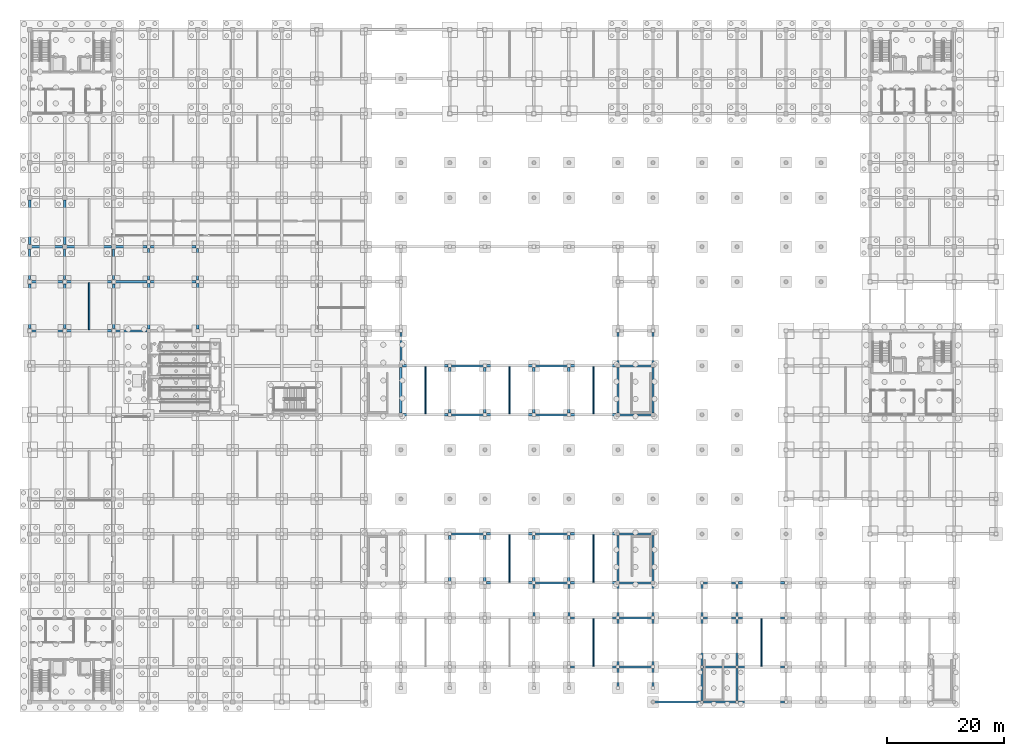
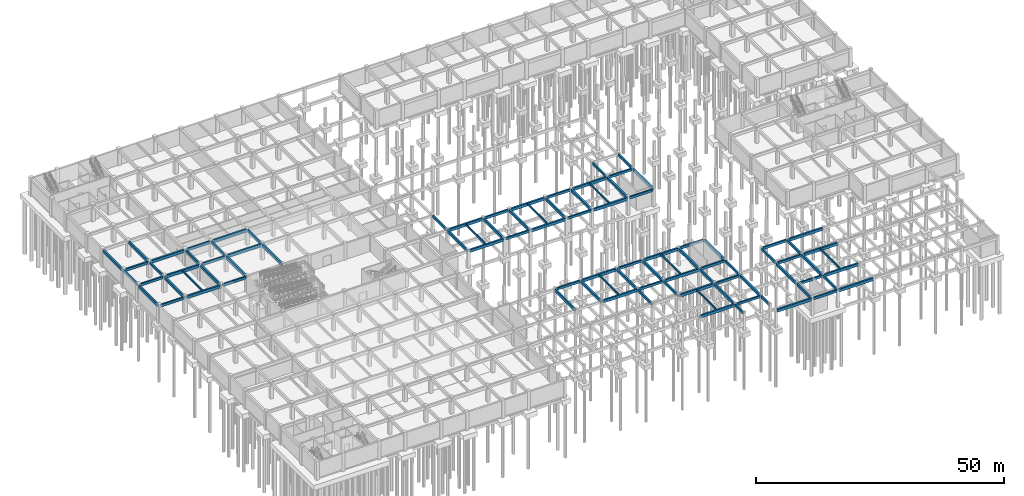
# One storey, part 19 of 40: 95 beams.
"""IFC4 building model written with IfcOpenShell, lengths in metres."""

from ifc_helpers import new_model, si_unit, direction, frame, origin, origin_2d, place, context, subcontext, project, spatial, rectangle, extrude, material, material_profile, profile_set, type_object, element, save


model = new_model("IFC4")

# Units and contexts
model_context = context("Model", 3, precision=1e-05, world=origin(), true_north=direction((0.0, 1.0)))
body_context = subcontext(model_context, "Body", "Model", "MODEL_VIEW")
ifc_project = project(units=[si_unit("LENGTHUNIT", "METRE"), si_unit("AREAUNIT", "SQUARE_METRE"), si_unit("VOLUMEUNIT", "CUBIC_METRE"), si_unit("PLANEANGLEUNIT", "RADIAN"), si_unit("MASSUNIT", "GRAM", prefix="KILO"), si_unit("THERMODYNAMICTEMPERATUREUNIT", "KELVIN")], contexts=[model_context])

# Site, building, storey
site_placement = place(None, origin())
site = spatial("IfcSite", under=ifc_project, at=site_placement, CompositionType="ELEMENT")
building_placement = place(site_placement, origin())
building = spatial("IfcBuilding", under=site, at=building_placement, Name="Thalorik Housing Commons", CompositionType="ELEMENT")
storey_placement = place(building_placement, frame((0.0, 0.0, -4.199951171875)))
storey = spatial("IfcBuildingStorey", under=building, at=storey_placement, Name="B1", CompositionType="ELEMENT", Elevation=-4.199951171875)

# Beams
ifc_material = material(Name="Precast concrete C40/50", Category="concrete")
ifc_material_profile_1 = material_profile(ifc_material, rectangle(XDim=0.35009765625, YDim=0.60009765625, at=origin_2d()), Name="PC 350x600", Category="concrete")
ifc_profile_set_1 = profile_set([ifc_material_profile_1], Name="Precast concrete C40/50")
beam_type_1 = type_object("IfcBeamType", Name="STR-BM-PC350x600", PredefinedType="BEAM", material=ifc_profile_set_1)
beam_1_placement = place(storey_placement, frame((123.824951171875, 8.39990234375, 3.599853515625), z_axis=(1.0, 0.0, 0.0), x_axis=(0.0, 1.0, 0.0)))
element("IfcBeam", 1, at=beam_1_placement, inside=storey, type_object=beam_type_1, Name="B1 Beam B-600", PredefinedType="BEAM", context=body_context, shape_type="SweptSolid", body=[
    extrude(rectangle(XDim=0.35009765625, YDim=0.60009765625, at=origin_2d()), origin(), (0.0, 0.0, 1.0), 5.550048828125),
])
beam_2_placement = place(storey_placement, frame((109.449951171875, 14.39990234375, 3.599853515625), z_axis=(1.0, 0.0, 0.0), x_axis=(0.0, 1.0, 0.0)))
element("IfcBeam", 2, at=beam_2_placement, inside=storey, type_object=beam_type_1, Name="B1 Beam B-600", PredefinedType="BEAM", context=body_context, shape_type="SweptSolid", body=[
    extrude(rectangle(XDim=0.35009765625, YDim=0.60009765625, at=origin_2d()), origin(), (0.0, 0.0, 1.0), 5.5),
])
beam_3_placement = place(storey_placement, frame((123.824951171875, 14.39990234375, 3.599853515625), z_axis=(1.0, 0.0, 0.0), x_axis=(0.0, 1.0, 0.0)))
element("IfcBeam", 3, at=beam_3_placement, inside=storey, type_object=beam_type_1, Name="B1 Beam B-600", PredefinedType="BEAM", context=body_context, shape_type="SweptSolid", body=[
    extrude(rectangle(XDim=0.35009765625, YDim=0.60009765625, at=origin_2d()), origin(), (0.0, 0.0, 1.0), 5.550048828125),
])
beam_4_placement = place(storey_placement, frame((109.449951171875, 22.800048828125, 3.599853515625), z_axis=(1.0, 0.0, 0.0), x_axis=(0.0, 1.0, 0.0)))
element("IfcBeam", 4, at=beam_4_placement, inside=storey, type_object=beam_type_1, Name="B1 Beam B-600", PredefinedType="BEAM", context=body_context, shape_type="SweptSolid", body=[
    extrude(rectangle(XDim=0.35009765625, YDim=0.60009765625, at=origin_2d()), origin(), (0.0, 0.0, 1.0), 5.5),
])
beam_5_placement = place(storey_placement, frame((123.824951171875, 22.800048828125, 3.599853515625), z_axis=(1.0, 0.0, 0.0), x_axis=(0.0, 1.0, 0.0)))
element("IfcBeam", 5, at=beam_5_placement, inside=storey, type_object=beam_type_1, Name="B1 Beam B-600", PredefinedType="BEAM", context=body_context, shape_type="SweptSolid", body=[
    extrude(rectangle(XDim=0.35009765625, YDim=0.60009765625, at=origin_2d()), origin(), (0.0, 0.0, 1.0), 5.550048828125),
])
for number, where, z_axis, x_axis, name in (
    (6, (95.050048828125, 28.800048828125, 3.599853515625), (1.0, 0.0, 0.0), (0.0, 1.0, 0.0), "B1 Beam B-600"),
    (7, (109.449951171875, 28.800048828125, 3.599853515625), (1.0, 0.0, 0.0), (0.0, 1.0, 0.0), "B1 Beam B-600"),
):
    element("IfcBeam", number, at=place(storey_placement, frame(where, z_axis=z_axis, x_axis=x_axis)), inside=storey, type_object=beam_type_1, Name=name, PredefinedType="BEAM", context=body_context, shape_type="SweptSolid", body=[
        extrude(rectangle(XDim=0.35009765625, YDim=0.60009765625, at=origin_2d()), origin(), (0.0, 0.0, 1.0), 5.5),
    ])
beam_6_placement = place(storey_placement, frame((123.824951171875, 28.800048828125, 3.599853515625), z_axis=(1.0, 0.0, 0.0), x_axis=(0.0, 1.0, 0.0)))
element("IfcBeam", 8, at=beam_6_placement, inside=storey, type_object=beam_type_1, Name="B1 Beam B-600", PredefinedType="BEAM", context=body_context, shape_type="SweptSolid", body=[
    extrude(rectangle(XDim=0.35009765625, YDim=0.60009765625, at=origin_2d()), origin(), (0.0, 0.0, 1.0), 5.550048828125),
])
for number, where, z_axis, x_axis, name in (
    (9, (80.64990234375, 37.199951171875, 3.599853515625), (1.0, 0.0, 0.0), (0.0, 1.0, 0.0), "B1 Beam B-600"),
    (10, (95.050048828125, 37.199951171875, 3.599853515625), (1.0, 0.0, 0.0), (0.0, 1.0, 0.0), "B1 Beam B-600"),
    (11, (109.449951171875, 37.199951171875, 3.599853515625), (1.0, 0.0, 0.0), (0.0, 1.0, 0.0), "B1 Beam B-600"),
):
    element("IfcBeam", number, at=place(storey_placement, frame(where, z_axis=z_axis, x_axis=x_axis)), inside=storey, type_object=beam_type_1, Name=name, PredefinedType="BEAM", context=body_context, shape_type="SweptSolid", body=[
        extrude(rectangle(XDim=0.35009765625, YDim=0.60009765625, at=origin_2d()), origin(), (0.0, 0.0, 1.0), 5.5),
    ])
for number, where, z_axis, x_axis, name in (
    (12, (80.675048828125, 57.60009765625, 3.599853515625), (1.0, 0.0, 0.0), (0.0, 1.0, 0.0), "B1 Beam B-600"),
    (13, (95.074951171875, 57.60009765625, 3.599853515625), (1.0, 0.0, 0.0), (0.0, 1.0, 0.0), "B1 Beam B-600"),
    (14, (109.47509765625, 57.60009765625, 3.599853515625), (1.0, 0.0, 0.0), (0.0, 1.0, 0.0), "B1 Beam B-600"),
    (15, (80.675048828125, 66.0, 3.599853515625), (1.0, 0.0, 0.0), (0.0, 1.0, 0.0), "B1 Beam B-600"),
    (16, (95.074951171875, 66.0, 3.599853515625), (1.0, 0.0, 0.0), (0.0, 1.0, 0.0), "B1 Beam B-600"),
    (17, (109.47509765625, 66.0, 3.599853515625), (1.0, 0.0, 0.0), (0.0, 1.0, 0.0), "B1 Beam B-600"),
):
    element("IfcBeam", number, at=place(storey_placement, frame(where, z_axis=z_axis, x_axis=x_axis)), inside=storey, type_object=beam_type_1, Name=name, PredefinedType="BEAM", context=body_context, shape_type="SweptSolid", body=[
        extrude(rectangle(XDim=0.35009765625, YDim=0.60009765625, at=origin_2d()), origin(), (0.0, 0.0, 1.0), 5.449951171875),
    ])
beam_7_placement = place(storey_placement, frame((8.75, 72.0, 3.599853515625), z_axis=(1.0, 0.0, 0.0), x_axis=(0.0, 1.0, 0.0)))
element("IfcBeam", 18, at=beam_7_placement, inside=storey, type_object=beam_type_1, Name="B1 Beam B-600", PredefinedType="BEAM", context=body_context, shape_type="SweptSolid", body=[
    extrude(rectangle(XDim=0.35009765625, YDim=0.60009765625, at=origin_2d()), origin(), (0.0, 0.0, 1.0), 5.300048828125),
])
beam_8_placement = place(storey_placement, frame((23.14990234375, 72.0, 3.599853515625), z_axis=(1.0, 0.0, 0.0), x_axis=(0.0, 1.0, 0.0)))
element("IfcBeam", 19, at=beam_8_placement, inside=storey, type_object=beam_type_1, Name="B1 Beam B-600", PredefinedType="BEAM", context=body_context, shape_type="SweptSolid", body=[
    extrude(rectangle(XDim=0.35009765625, YDim=0.60009765625, at=origin_2d()), origin(), (0.0, 0.0, 1.0), 5.375),
])
beam_9_placement = place(storey_placement, frame((8.75, 80.39990234375, 3.599853515625), z_axis=(1.0, 0.0, 0.0), x_axis=(0.0, 1.0, 0.0)))
element("IfcBeam", 20, at=beam_9_placement, inside=storey, type_object=beam_type_1, Name="B1 Beam B-600", PredefinedType="BEAM", context=body_context, shape_type="SweptSolid", body=[
    extrude(rectangle(XDim=0.35009765625, YDim=0.60009765625, at=origin_2d()), origin(), (0.0, 0.0, 1.0), 5.300048828125),
])
beam_10_placement = place(storey_placement, frame((23.14990234375, 80.39990234375, 3.599853515625), z_axis=(1.0, 0.0, 0.0), x_axis=(0.0, 1.0, 0.0)))
element("IfcBeam", 21, at=beam_10_placement, inside=storey, type_object=beam_type_1, Name="B1 Beam B-600", PredefinedType="BEAM", context=body_context, shape_type="SweptSolid", body=[
    extrude(rectangle(XDim=0.35009765625, YDim=0.60009765625, at=origin_2d()), origin(), (0.0, 0.0, 1.0), 5.375),
])
beam_11_placement = place(storey_placement, frame((8.75, 86.39990234375, 3.599853515625), z_axis=(1.0, 0.0, 0.0), x_axis=(0.0, 1.0, 0.0)))
element("IfcBeam", 22, at=beam_11_placement, inside=storey, type_object=beam_type_1, Name="B1 Beam B-600", PredefinedType="BEAM", context=body_context, shape_type="SweptSolid", body=[
    extrude(rectangle(XDim=0.35009765625, YDim=0.60009765625, at=origin_2d()), origin(), (0.0, 0.0, 1.0), 5.300048828125),
])
beam_12_placement = place(storey_placement, frame((23.14990234375, 86.39990234375, 3.599853515625), z_axis=(1.0, 0.0, 0.0), x_axis=(0.0, 1.0, 0.0)))
element("IfcBeam", 23, at=beam_12_placement, inside=storey, type_object=beam_type_1, Name="B1 Beam B-600", PredefinedType="BEAM", context=body_context, shape_type="SweptSolid", body=[
    extrude(rectangle(XDim=0.35009765625, YDim=0.60009765625, at=origin_2d()), origin(), (0.0, 0.0, 1.0), 5.375),
])
for number, where, z_axis, x_axis, name in (
    (24, (8.39990234375, 80.75, 3.599853515625), (0.0, 1.0, 0.0), (-1.0, 0.0, 0.0), "B1 Beam B-600"),
    (25, (14.39990234375, 80.75, 3.599853515625), (0.0, 1.0, 0.0), (-1.0, 0.0, 0.0), "B1 Beam B-600"),
    (26, (22.800048828125, 80.75, 3.599853515625), (0.0, 1.0, 0.0), (-1.0, 0.0, 0.0), "B1 Beam B-600"),
):
    element("IfcBeam", number, at=place(storey_placement, frame(where, z_axis=z_axis, x_axis=x_axis)), inside=storey, type_object=beam_type_1, Name=name, PredefinedType="BEAM", context=body_context, shape_type="SweptSolid", body=[
        extrude(rectangle(XDim=0.35009765625, YDim=0.60009765625, at=origin_2d()), origin(), (0.0, 0.0, 1.0), 5.300048828125),
    ])
for number, where, z_axis, x_axis, name in (
    (27, (28.800048828125, 80.675048828125, 3.599853515625), (0.0, 1.0, 0.0), (-1.0, 0.0, 0.0), "B1 Beam B-600"),
    (28, (37.199951171875, 80.675048828125, 3.599853515625), (0.0, 1.0, 0.0), (-1.0, 0.0, 0.0), "B1 Beam B-600"),
):
    element("IfcBeam", number, at=place(storey_placement, frame(where, z_axis=z_axis, x_axis=x_axis)), inside=storey, type_object=beam_type_1, Name=name, PredefinedType="BEAM", context=body_context, shape_type="SweptSolid", body=[
        extrude(rectangle(XDim=0.35009765625, YDim=0.60009765625, at=origin_2d()), origin(), (0.0, 0.0, 1.0), 5.449951171875),
    ])
beam_13_placement = place(storey_placement, frame((72.0, 66.27490234375, 3.599853515625), z_axis=(0.0, 1.0, 0.0), x_axis=(-1.0, 0.0, 0.0)))
element("IfcBeam", 29, at=beam_13_placement, inside=storey, type_object=beam_type_1, Name="B1 Beam B-600", PredefinedType="BEAM", context=body_context, shape_type="SweptSolid", body=[
    extrude(rectangle(XDim=0.35009765625, YDim=0.60009765625, at=origin_2d()), origin(), (0.0, 0.0, 1.0), 5.4501953125),
])
for number, where, z_axis, x_axis, name in (
    (30, (94.800048828125, 23.050048828125, 3.599853515625), (0.0, 1.0, 0.0), (-1.0, 0.0, 0.0), "B1 Beam B-600"),
    (31, (100.800048828125, 23.050048828125, 3.599853515625), (0.0, 1.0, 0.0), (-1.0, 0.0, 0.0), "B1 Beam B-600"),
):
    element("IfcBeam", number, at=place(storey_placement, frame(where, z_axis=z_axis, x_axis=x_axis)), inside=storey, type_object=beam_type_1, Name=name, PredefinedType="BEAM", context=body_context, shape_type="SweptSolid", body=[
        extrude(rectangle(XDim=0.35009765625, YDim=0.60009765625, at=origin_2d()), origin(), (0.0, 0.0, 1.0), 5.5),
    ])
beam_14_placement = place(storey_placement, frame((109.199951171875, 11.02490234375, 3.599853515625), z_axis=(0.0, 1.0, 0.0), x_axis=(-1.0, 0.0, 0.0)))
element("IfcBeam", 32, at=beam_14_placement, inside=storey, type_object=beam_type_1, Name="B1 Beam B-600", PredefinedType="BEAM", context=body_context, shape_type="SweptSolid", body=[
    extrude(rectangle(XDim=0.35009765625, YDim=0.60009765625, at=origin_2d()), origin(), (0.0, 0.0, 1.0), 3.125),
])
beam_15_placement = place(storey_placement, frame((109.199951171875, 23.050048828125, 3.599853515625), z_axis=(0.0, 1.0, 0.0), x_axis=(-1.0, 0.0, 0.0)))
element("IfcBeam", 33, at=beam_15_placement, inside=storey, type_object=beam_type_1, Name="B1 Beam B-600", PredefinedType="BEAM", context=body_context, shape_type="SweptSolid", body=[
    extrude(rectangle(XDim=0.35009765625, YDim=0.60009765625, at=origin_2d()), origin(), (0.0, 0.0, 1.0), 5.5),
])
beam_16_placement = place(storey_placement, frame((109.199951171875, 66.27490234375, 3.599853515625), z_axis=(0.0, 1.0, 0.0), x_axis=(-1.0, 0.0, 0.0)))
element("IfcBeam", 34, at=beam_16_placement, inside=storey, type_object=beam_type_1, Name="B1 Beam B-600", PredefinedType="BEAM", context=body_context, shape_type="SweptSolid", body=[
    extrude(rectangle(XDim=0.35009765625, YDim=0.60009765625, at=origin_2d()), origin(), (0.0, 0.0, 1.0), 5.4501953125),
])
beam_17_placement = place(storey_placement, frame((115.199951171875, 11.02490234375, 3.599853515625), z_axis=(0.0, 1.0, 0.0), x_axis=(-1.0, 0.0, 0.0)))
element("IfcBeam", 35, at=beam_17_placement, inside=storey, type_object=beam_type_1, Name="B1 Beam B-600", PredefinedType="BEAM", context=body_context, shape_type="SweptSolid", body=[
    extrude(rectangle(XDim=0.35009765625, YDim=0.60009765625, at=origin_2d()), origin(), (0.0, 0.0, 1.0), 3.125),
])
beam_18_placement = place(storey_placement, frame((115.199951171875, 23.050048828125, 3.599853515625), z_axis=(0.0, 1.0, 0.0), x_axis=(-1.0, 0.0, 0.0)))
element("IfcBeam", 36, at=beam_18_placement, inside=storey, type_object=beam_type_1, Name="B1 Beam B-600", PredefinedType="BEAM", context=body_context, shape_type="SweptSolid", body=[
    extrude(rectangle(XDim=0.35009765625, YDim=0.60009765625, at=origin_2d()), origin(), (0.0, 0.0, 1.0), 5.5),
])
beam_19_placement = place(storey_placement, frame((115.199951171875, 66.27490234375, 3.599853515625), z_axis=(0.0, 1.0, 0.0), x_axis=(-1.0, 0.0, 0.0)))
element("IfcBeam", 37, at=beam_19_placement, inside=storey, type_object=beam_type_1, Name="B1 Beam B-600", PredefinedType="BEAM", context=body_context, shape_type="SweptSolid", body=[
    extrude(rectangle(XDim=0.35009765625, YDim=0.60009765625, at=origin_2d()), origin(), (0.0, 0.0, 1.0), 5.4501953125),
])
for number, where, z_axis, x_axis, name in (
    (38, (123.60009765625, 8.625, 3.599853515625), (0.0, 1.0, 0.0), (-1.0, 0.0, 0.0), "B1 Beam B-600"),
    (39, (123.60009765625, 23.02490234375, 3.599853515625), (0.0, 1.0, 0.0), (-1.0, 0.0, 0.0), "B1 Beam B-600"),
    (40, (129.60009765625, 8.625, 3.599853515625), (0.0, 1.0, 0.0), (-1.0, 0.0, 0.0), "B1 Beam B-600"),
    (41, (129.60009765625, 23.02490234375, 3.599853515625), (0.0, 1.0, 0.0), (-1.0, 0.0, 0.0), "B1 Beam B-600"),
):
    element("IfcBeam", number, at=place(storey_placement, frame(where, z_axis=z_axis, x_axis=x_axis)), inside=storey, type_object=beam_type_1, Name=name, PredefinedType="BEAM", context=body_context, shape_type="SweptSolid", body=[
        extrude(rectangle(XDim=0.35009765625, YDim=0.60009765625, at=origin_2d()), origin(), (0.0, 0.0, 1.0), 5.550048828125),
    ])
ifc_material_profile_2 = material_profile(ifc_material, rectangle(XDim=0.39990234375, YDim=0.699951171875, at=origin_2d()), Name="PC 400x700", Category="concrete")
ifc_profile_set_2 = profile_set([ifc_material_profile_2], Name="Precast concrete C40/50")
beam_type_2 = type_object("IfcBeamType", Name="STR-BM-PC400x700", PredefinedType="BEAM", material=ifc_profile_set_2)
beam_20_placement = place(storey_placement, frame((129.824951171875, 8.39990234375, 3.550048828125), z_axis=(1.0, 0.0, 0.0), x_axis=(0.0, 1.0, 0.0)))
element("IfcBeam", 42, at=beam_20_placement, inside=storey, type_object=beam_type_2, Name="B1 Beam B-700", PredefinedType="BEAM", context=body_context, shape_type="SweptSolid", body=[
    extrude(rectangle(XDim=0.39990234375, YDim=0.699951171875, at=origin_2d()), origin(), (0.0, 0.0, 1.0), 7.949951171875),
])
beam_21_placement = place(storey_placement, frame((101.050048828125, 14.39990234375, 3.550048828125), z_axis=(1.0, 0.0, 0.0), x_axis=(0.0, 1.0, 0.0)))
element("IfcBeam", 43, at=beam_21_placement, inside=storey, type_object=beam_type_2, Name="B1 Beam B-700", PredefinedType="BEAM", context=body_context, shape_type="SweptSolid", body=[
    extrude(rectangle(XDim=0.39990234375, YDim=0.699951171875, at=origin_2d()), origin(), (0.0, 0.0, 1.0), 7.89990234375),
])
beam_22_placement = place(storey_placement, frame((129.824951171875, 14.39990234375, 3.550048828125), z_axis=(1.0, 0.0, 0.0), x_axis=(0.0, 1.0, 0.0)))
element("IfcBeam", 44, at=beam_22_placement, inside=storey, type_object=beam_type_2, Name="B1 Beam B-700", PredefinedType="BEAM", context=body_context, shape_type="SweptSolid", body=[
    extrude(rectangle(XDim=0.39990234375, YDim=0.699951171875, at=origin_2d()), origin(), (0.0, 0.0, 1.0), 7.949951171875),
])
beam_23_placement = place(storey_placement, frame((101.050048828125, 22.800048828125, 3.550048828125), z_axis=(1.0, 0.0, 0.0), x_axis=(0.0, 1.0, 0.0)))
element("IfcBeam", 45, at=beam_23_placement, inside=storey, type_object=beam_type_2, Name="B1 Beam B-700", PredefinedType="BEAM", context=body_context, shape_type="SweptSolid", body=[
    extrude(rectangle(XDim=0.39990234375, YDim=0.699951171875, at=origin_2d()), origin(), (0.0, 0.0, 1.0), 7.89990234375),
])
beam_24_placement = place(storey_placement, frame((129.824951171875, 22.800048828125, 3.550048828125), z_axis=(1.0, 0.0, 0.0), x_axis=(0.0, 1.0, 0.0)))
element("IfcBeam", 46, at=beam_24_placement, inside=storey, type_object=beam_type_2, Name="B1 Beam B-700", PredefinedType="BEAM", context=body_context, shape_type="SweptSolid", body=[
    extrude(rectangle(XDim=0.39990234375, YDim=0.699951171875, at=origin_2d()), origin(), (0.0, 0.0, 1.0), 7.949951171875),
])
beam_25_placement = place(storey_placement, frame((86.64990234375, 28.800048828125, 3.550048828125), z_axis=(1.0, 0.0, 0.0), x_axis=(0.0, 1.0, 0.0)))
element("IfcBeam", 47, at=beam_25_placement, inside=storey, type_object=beam_type_2, Name="B1 Beam B-700", PredefinedType="BEAM", context=body_context, shape_type="SweptSolid", body=[
    extrude(rectangle(XDim=0.39990234375, YDim=0.699951171875, at=origin_2d()), origin(), (0.0, 0.0, 1.0), 7.900146484375),
])
beam_26_placement = place(storey_placement, frame((101.050048828125, 28.800048828125, 3.550048828125), z_axis=(1.0, 0.0, 0.0), x_axis=(0.0, 1.0, 0.0)))
element("IfcBeam", 48, at=beam_26_placement, inside=storey, type_object=beam_type_2, Name="B1 Beam B-700", PredefinedType="BEAM", context=body_context, shape_type="SweptSolid", body=[
    extrude(rectangle(XDim=0.39990234375, YDim=0.699951171875, at=origin_2d()), origin(), (0.0, 0.0, 1.0), 7.89990234375),
])
beam_27_placement = place(storey_placement, frame((129.824951171875, 28.800048828125, 3.550048828125), z_axis=(1.0, 0.0, 0.0), x_axis=(0.0, 1.0, 0.0)))
element("IfcBeam", 49, at=beam_27_placement, inside=storey, type_object=beam_type_2, Name="B1 Beam B-700", PredefinedType="BEAM", context=body_context, shape_type="SweptSolid", body=[
    extrude(rectangle(XDim=0.39990234375, YDim=0.699951171875, at=origin_2d()), origin(), (0.0, 0.0, 1.0), 7.949951171875),
])
beam_28_placement = place(storey_placement, frame((86.64990234375, 37.199951171875, 3.550048828125), z_axis=(1.0, 0.0, 0.0), x_axis=(0.0, 1.0, 0.0)))
element("IfcBeam", 50, at=beam_28_placement, inside=storey, type_object=beam_type_2, Name="B1 Beam B-700", PredefinedType="BEAM", context=body_context, shape_type="SweptSolid", body=[
    extrude(rectangle(XDim=0.39990234375, YDim=0.699951171875, at=origin_2d()), origin(), (0.0, 0.0, 1.0), 7.900146484375),
])
beam_29_placement = place(storey_placement, frame((101.050048828125, 37.199951171875, 3.550048828125), z_axis=(1.0, 0.0, 0.0), x_axis=(0.0, 1.0, 0.0)))
element("IfcBeam", 51, at=beam_29_placement, inside=storey, type_object=beam_type_2, Name="B1 Beam B-700", PredefinedType="BEAM", context=body_context, shape_type="SweptSolid", body=[
    extrude(rectangle(XDim=0.39990234375, YDim=0.699951171875, at=origin_2d()), origin(), (0.0, 0.0, 1.0), 7.89990234375),
])
beam_30_placement = place(storey_placement, frame((72.27490234375, 57.60009765625, 3.550048828125), z_axis=(1.0, 0.0, 0.0), x_axis=(0.0, 1.0, 0.0)))
element("IfcBeam", 52, at=beam_30_placement, inside=storey, type_object=beam_type_2, Name="B1 Beam B-700", PredefinedType="BEAM", context=body_context, shape_type="SweptSolid", body=[
    extrude(rectangle(XDim=0.39990234375, YDim=0.699951171875, at=origin_2d()), origin(), (0.0, 0.0, 1.0), 7.85009765625),
])
beam_31_placement = place(storey_placement, frame((86.675048828125, 57.60009765625, 3.550048828125), z_axis=(1.0, 0.0, 0.0), x_axis=(0.0, 1.0, 0.0)))
element("IfcBeam", 53, at=beam_31_placement, inside=storey, type_object=beam_type_2, Name="B1 Beam B-700", PredefinedType="BEAM", context=body_context, shape_type="SweptSolid", body=[
    extrude(rectangle(XDim=0.39990234375, YDim=0.699951171875, at=origin_2d()), origin(), (0.0, 0.0, 1.0), 7.849853515625),
])
for number, where, z_axis, x_axis, name in (
    (54, (101.074951171875, 57.60009765625, 3.550048828125), (1.0, 0.0, 0.0), (0.0, 1.0, 0.0), "B1 Beam B-700"),
    (55, (72.27490234375, 66.0, 3.550048828125), (1.0, 0.0, 0.0), (0.0, 1.0, 0.0), "B1 Beam B-700"),
):
    element("IfcBeam", number, at=place(storey_placement, frame(where, z_axis=z_axis, x_axis=x_axis)), inside=storey, type_object=beam_type_2, Name=name, PredefinedType="BEAM", context=body_context, shape_type="SweptSolid", body=[
        extrude(rectangle(XDim=0.39990234375, YDim=0.699951171875, at=origin_2d()), origin(), (0.0, 0.0, 1.0), 7.85009765625),
    ])
beam_32_placement = place(storey_placement, frame((86.675048828125, 66.0, 3.550048828125), z_axis=(1.0, 0.0, 0.0), x_axis=(0.0, 1.0, 0.0)))
element("IfcBeam", 56, at=beam_32_placement, inside=storey, type_object=beam_type_2, Name="B1 Beam B-700", PredefinedType="BEAM", context=body_context, shape_type="SweptSolid", body=[
    extrude(rectangle(XDim=0.39990234375, YDim=0.699951171875, at=origin_2d()), origin(), (0.0, 0.0, 1.0), 7.849853515625),
])
beam_33_placement = place(storey_placement, frame((101.074951171875, 66.0, 3.550048828125), z_axis=(1.0, 0.0, 0.0), x_axis=(0.0, 1.0, 0.0)))
element("IfcBeam", 57, at=beam_33_placement, inside=storey, type_object=beam_type_2, Name="B1 Beam B-700", PredefinedType="BEAM", context=body_context, shape_type="SweptSolid", body=[
    extrude(rectangle(XDim=0.39990234375, YDim=0.699951171875, at=origin_2d()), origin(), (0.0, 0.0, 1.0), 7.85009765625),
])
for number, where, z_axis, x_axis, name in (
    (58, (14.75, 72.0, 3.550048828125), (1.0, 0.0, 0.0), (0.0, 1.0, 0.0), "B1 Beam B-700"),
    (59, (14.75, 80.39990234375, 3.550048828125), (1.0, 0.0, 0.0), (0.0, 1.0, 0.0), "B1 Beam B-700"),
):
    element("IfcBeam", number, at=place(storey_placement, frame(where, z_axis=z_axis, x_axis=x_axis)), inside=storey, type_object=beam_type_2, Name=name, PredefinedType="BEAM", context=body_context, shape_type="SweptSolid", body=[
        extrude(rectangle(XDim=0.39990234375, YDim=0.699951171875, at=origin_2d()), origin(), (0.0, 0.0, 1.0), 7.699951171875),
    ])
beam_34_placement = place(storey_placement, frame((29.074951171875, 80.39990234375, 3.550048828125), z_axis=(1.0, 0.0, 0.0), x_axis=(0.0, 1.0, 0.0)))
element("IfcBeam", 60, at=beam_34_placement, inside=storey, type_object=beam_type_2, Name="B1 Beam B-700", PredefinedType="BEAM", context=body_context, shape_type="SweptSolid", body=[
    extrude(rectangle(XDim=0.39990234375, YDim=0.699951171875, at=origin_2d()), origin(), (0.0, 0.0, 1.0), 7.85009765625),
])
beam_35_placement = place(storey_placement, frame((14.75, 86.39990234375, 3.550048828125), z_axis=(1.0, 0.0, 0.0), x_axis=(0.0, 1.0, 0.0)))
element("IfcBeam", 61, at=beam_35_placement, inside=storey, type_object=beam_type_2, Name="B1 Beam B-700", PredefinedType="BEAM", context=body_context, shape_type="SweptSolid", body=[
    extrude(rectangle(XDim=0.39990234375, YDim=0.699951171875, at=origin_2d()), origin(), (0.0, 0.0, 1.0), 7.699951171875),
])
beam_36_placement = place(storey_placement, frame((29.074951171875, 86.39990234375, 3.550048828125), z_axis=(1.0, 0.0, 0.0), x_axis=(0.0, 1.0, 0.0)))
element("IfcBeam", 62, at=beam_36_placement, inside=storey, type_object=beam_type_2, Name="B1 Beam B-700", PredefinedType="BEAM", context=body_context, shape_type="SweptSolid", body=[
    extrude(rectangle(XDim=0.39990234375, YDim=0.699951171875, at=origin_2d()), origin(), (0.0, 0.0, 1.0), 7.85009765625),
])
for number, where, z_axis, x_axis, name in (
    (63, (8.39990234375, 72.35009765625, 3.550048828125), (0.0, 1.0, 0.0), (-1.0, 0.0, 0.0), "B1 Beam B-700"),
    (64, (8.39990234375, 86.75, 3.550048828125), (0.0, 1.0, 0.0), (-1.0, 0.0, 0.0), "B1 Beam B-700"),
    (65, (14.39990234375, 72.35009765625, 3.550048828125), (0.0, 1.0, 0.0), (-1.0, 0.0, 0.0), "B1 Beam B-700"),
    (66, (14.39990234375, 86.75, 3.550048828125), (0.0, 1.0, 0.0), (-1.0, 0.0, 0.0), "B1 Beam B-700"),
    (67, (22.800048828125, 72.35009765625, 3.550048828125), (0.0, 1.0, 0.0), (-1.0, 0.0, 0.0), "B1 Beam B-700"),
):
    element("IfcBeam", number, at=place(storey_placement, frame(where, z_axis=z_axis, x_axis=x_axis)), inside=storey, type_object=beam_type_2, Name=name, PredefinedType="BEAM", context=body_context, shape_type="SweptSolid", body=[
        extrude(rectangle(XDim=0.39990234375, YDim=0.699951171875, at=origin_2d()), origin(), (0.0, 0.0, 1.0), 7.699951171875),
    ])
for number, where, z_axis, x_axis, name in (
    (68, (28.800048828125, 72.27490234375, 3.550048828125), (0.0, 1.0, 0.0), (-1.0, 0.0, 0.0), "B1 Beam B-700"),
    (69, (37.199951171875, 72.27490234375, 3.550048828125), (0.0, 1.0, 0.0), (-1.0, 0.0, 0.0), "B1 Beam B-700"),
    (70, (72.0, 57.875, 3.550048828125), (0.0, 1.0, 0.0), (-1.0, 0.0, 0.0), "B1 Beam B-700"),
):
    element("IfcBeam", number, at=place(storey_placement, frame(where, z_axis=z_axis, x_axis=x_axis)), inside=storey, type_object=beam_type_2, Name=name, PredefinedType="BEAM", context=body_context, shape_type="SweptSolid", body=[
        extrude(rectangle(XDim=0.39990234375, YDim=0.699951171875, at=origin_2d()), origin(), (0.0, 0.0, 1.0), 7.85009765625),
    ])
beam_37_placement = place(storey_placement, frame((80.39990234375, 29.050048828125, 3.550048828125), z_axis=(0.0, 1.0, 0.0), x_axis=(-1.0, 0.0, 0.0)))
element("IfcBeam", 71, at=beam_37_placement, inside=storey, type_object=beam_type_2, Name="B1 Beam B-700", PredefinedType="BEAM", context=body_context, shape_type="SweptSolid", body=[
    extrude(rectangle(XDim=0.39990234375, YDim=0.699951171875, at=origin_2d()), origin(), (0.0, 0.0, 1.0), 7.89990234375),
])
beam_38_placement = place(storey_placement, frame((80.39990234375, 57.875, 3.550048828125), z_axis=(0.0, 1.0, 0.0), x_axis=(-1.0, 0.0, 0.0)))
element("IfcBeam", 72, at=beam_38_placement, inside=storey, type_object=beam_type_2, Name="B1 Beam B-700", PredefinedType="BEAM", context=body_context, shape_type="SweptSolid", body=[
    extrude(rectangle(XDim=0.39990234375, YDim=0.699951171875, at=origin_2d()), origin(), (0.0, 0.0, 1.0), 7.85009765625),
])
beam_39_placement = place(storey_placement, frame((86.39990234375, 29.050048828125, 3.550048828125), z_axis=(0.0, 1.0, 0.0), x_axis=(-1.0, 0.0, 0.0)))
element("IfcBeam", 73, at=beam_39_placement, inside=storey, type_object=beam_type_2, Name="B1 Beam B-700", PredefinedType="BEAM", context=body_context, shape_type="SweptSolid", body=[
    extrude(rectangle(XDim=0.39990234375, YDim=0.699951171875, at=origin_2d()), origin(), (0.0, 0.0, 1.0), 7.89990234375),
])
beam_40_placement = place(storey_placement, frame((86.39990234375, 57.875, 3.550048828125), z_axis=(0.0, 1.0, 0.0), x_axis=(-1.0, 0.0, 0.0)))
element("IfcBeam", 74, at=beam_40_placement, inside=storey, type_object=beam_type_2, Name="B1 Beam B-700", PredefinedType="BEAM", context=body_context, shape_type="SweptSolid", body=[
    extrude(rectangle(XDim=0.39990234375, YDim=0.699951171875, at=origin_2d()), origin(), (0.0, 0.0, 1.0), 7.85009765625),
])
beam_41_placement = place(storey_placement, frame((94.800048828125, 29.050048828125, 3.550048828125), z_axis=(0.0, 1.0, 0.0), x_axis=(-1.0, 0.0, 0.0)))
element("IfcBeam", 75, at=beam_41_placement, inside=storey, type_object=beam_type_2, Name="B1 Beam B-700", PredefinedType="BEAM", context=body_context, shape_type="SweptSolid", body=[
    extrude(rectangle(XDim=0.39990234375, YDim=0.699951171875, at=origin_2d()), origin(), (0.0, 0.0, 1.0), 7.89990234375),
])
beam_42_placement = place(storey_placement, frame((94.800048828125, 57.875, 3.550048828125), z_axis=(0.0, 1.0, 0.0), x_axis=(-1.0, 0.0, 0.0)))
element("IfcBeam", 76, at=beam_42_placement, inside=storey, type_object=beam_type_2, Name="B1 Beam B-700", PredefinedType="BEAM", context=body_context, shape_type="SweptSolid", body=[
    extrude(rectangle(XDim=0.39990234375, YDim=0.699951171875, at=origin_2d()), origin(), (0.0, 0.0, 1.0), 7.85009765625),
])
beam_43_placement = place(storey_placement, frame((100.800048828125, 29.050048828125, 3.550048828125), z_axis=(0.0, 1.0, 0.0), x_axis=(-1.0, 0.0, 0.0)))
element("IfcBeam", 77, at=beam_43_placement, inside=storey, type_object=beam_type_2, Name="B1 Beam B-700", PredefinedType="BEAM", context=body_context, shape_type="SweptSolid", body=[
    extrude(rectangle(XDim=0.39990234375, YDim=0.699951171875, at=origin_2d()), origin(), (0.0, 0.0, 1.0), 7.89990234375),
])
beam_44_placement = place(storey_placement, frame((100.800048828125, 57.875, 3.550048828125), z_axis=(0.0, 1.0, 0.0), x_axis=(-1.0, 0.0, 0.0)))
element("IfcBeam", 78, at=beam_44_placement, inside=storey, type_object=beam_type_2, Name="B1 Beam B-700", PredefinedType="BEAM", context=body_context, shape_type="SweptSolid", body=[
    extrude(rectangle(XDim=0.39990234375, YDim=0.699951171875, at=origin_2d()), origin(), (0.0, 0.0, 1.0), 7.85009765625),
])
beam_45_placement = place(storey_placement, frame((109.199951171875, 14.64990234375, 3.550048828125), z_axis=(0.0, 1.0, 0.0), x_axis=(-1.0, 0.0, 0.0)))
element("IfcBeam", 79, at=beam_45_placement, inside=storey, type_object=beam_type_2, Name="B1 Beam B-700", PredefinedType="BEAM", context=body_context, shape_type="SweptSolid", body=[
    extrude(rectangle(XDim=0.39990234375, YDim=0.699951171875, at=origin_2d()), origin(), (0.0, 0.0, 1.0), 7.900146484375),
])
beam_46_placement = place(storey_placement, frame((109.199951171875, 29.050048828125, 3.550048828125), z_axis=(0.0, 1.0, 0.0), x_axis=(-1.0, 0.0, 0.0)))
element("IfcBeam", 80, at=beam_46_placement, inside=storey, type_object=beam_type_2, Name="B1 Beam B-700", PredefinedType="BEAM", context=body_context, shape_type="SweptSolid", body=[
    extrude(rectangle(XDim=0.39990234375, YDim=0.699951171875, at=origin_2d()), origin(), (0.0, 0.0, 1.0), 7.89990234375),
])
beam_47_placement = place(storey_placement, frame((109.199951171875, 57.875, 3.550048828125), z_axis=(0.0, 1.0, 0.0), x_axis=(-1.0, 0.0, 0.0)))
element("IfcBeam", 81, at=beam_47_placement, inside=storey, type_object=beam_type_2, Name="B1 Beam B-700", PredefinedType="BEAM", context=body_context, shape_type="SweptSolid", body=[
    extrude(rectangle(XDim=0.39990234375, YDim=0.699951171875, at=origin_2d()), origin(), (0.0, 0.0, 1.0), 7.85009765625),
])
beam_48_placement = place(storey_placement, frame((115.199951171875, 14.64990234375, 3.550048828125), z_axis=(0.0, 1.0, 0.0), x_axis=(-1.0, 0.0, 0.0)))
element("IfcBeam", 82, at=beam_48_placement, inside=storey, type_object=beam_type_2, Name="B1 Beam B-700", PredefinedType="BEAM", context=body_context, shape_type="SweptSolid", body=[
    extrude(rectangle(XDim=0.39990234375, YDim=0.699951171875, at=origin_2d()), origin(), (0.0, 0.0, 1.0), 7.900146484375),
])
beam_49_placement = place(storey_placement, frame((115.199951171875, 29.050048828125, 3.550048828125), z_axis=(0.0, 1.0, 0.0), x_axis=(-1.0, 0.0, 0.0)))
element("IfcBeam", 83, at=beam_49_placement, inside=storey, type_object=beam_type_2, Name="B1 Beam B-700", PredefinedType="BEAM", context=body_context, shape_type="SweptSolid", body=[
    extrude(rectangle(XDim=0.39990234375, YDim=0.699951171875, at=origin_2d()), origin(), (0.0, 0.0, 1.0), 7.89990234375),
])
beam_50_placement = place(storey_placement, frame((115.199951171875, 57.875, 3.550048828125), z_axis=(0.0, 1.0, 0.0), x_axis=(-1.0, 0.0, 0.0)))
element("IfcBeam", 84, at=beam_50_placement, inside=storey, type_object=beam_type_2, Name="B1 Beam B-700", PredefinedType="BEAM", context=body_context, shape_type="SweptSolid", body=[
    extrude(rectangle(XDim=0.39990234375, YDim=0.699951171875, at=origin_2d()), origin(), (0.0, 0.0, 1.0), 7.85009765625),
])
for number, where, z_axis, x_axis, name in (
    (85, (123.60009765625, 14.625, 3.550048828125), (0.0, 1.0, 0.0), (-1.0, 0.0, 0.0), "B1 Beam B-700"),
    (86, (129.60009765625, 14.625, 3.550048828125), (0.0, 1.0, 0.0), (-1.0, 0.0, 0.0), "B1 Beam B-700"),
):
    element("IfcBeam", number, at=place(storey_placement, frame(where, z_axis=z_axis, x_axis=x_axis)), inside=storey, type_object=beam_type_2, Name=name, PredefinedType="BEAM", context=body_context, shape_type="SweptSolid", body=[
        extrude(rectangle(XDim=0.39990234375, YDim=0.699951171875, at=origin_2d()), origin(), (0.0, 0.0, 1.0), 7.949951171875),
    ])
beam_51_placement = place(storey_placement, frame((115.43505859375, 8.39990234375, 3.599853515625), z_axis=(1.0, 0.0, 0.0), x_axis=(0.0, 1.0, 0.0)))
element("IfcBeam", 87, at=beam_51_placement, inside=storey, type_object=beam_type_2, Name="B1 Plaza Edge Beam X 1", PredefinedType="BEAM", context=body_context, shape_type="SweptSolid", body=[
    extrude(rectangle(XDim=0.39990234375, YDim=0.699951171875, at=origin_2d()), origin(), (0.0, 0.0, 1.0), 7.929931640625),
])
ifc_material_profile_3 = material_profile(ifc_material, rectangle(XDim=0.239990234375, YDim=0.43994140625, at=origin_2d()), Name="PC JST 240x440", Category="concrete")
ifc_profile_set_3 = profile_set([ifc_material_profile_3], Name="Precast concrete C40/50")
beam_type_3 = type_object("IfcBeamType", Name="STR-JST-PC240x440", PredefinedType="JOIST", material=ifc_profile_set_3)
for number, where, z_axis, x_axis, name in (
    (88, (105.0, 14.550048828125, 3.679931640625), (0.0, 1.0, 0.0), (-1.0, 0.0, 0.0), "B1 Beam J-440"),
    (89, (133.800048828125, 14.550048828125, 3.679931640625), (0.0, 1.0, 0.0), (-1.0, 0.0, 0.0), "B1 Beam J-440"),
):
    element("IfcBeam", number, at=place(storey_placement, frame(where, z_axis=z_axis, x_axis=x_axis)), inside=storey, type_object=beam_type_3, Name=name, PredefinedType="JOIST", context=body_context, shape_type="SweptSolid", body=[
        extrude(rectangle(XDim=0.239990234375, YDim=0.43994140625, at=origin_2d()), origin(), (0.0, 0.0, 1.0), 8.099853515625),
    ])
for number, where, z_axis, x_axis, name in (
    (90, (90.60009765625, 28.949951171875, 3.679931640625), (0.0, 1.0, 0.0), (-1.0, 0.0, 0.0), "B1 Beam J-440"),
    (91, (105.0, 28.949951171875, 3.679931640625), (0.0, 1.0, 0.0), (-1.0, 0.0, 0.0), "B1 Beam J-440"),
    (92, (76.199951171875, 57.75, 3.679931640625), (0.0, 1.0, 0.0), (-1.0, 0.0, 0.0), "B1 Beam J-440"),
    (93, (90.60009765625, 57.75, 3.679931640625), (0.0, 1.0, 0.0), (-1.0, 0.0, 0.0), "B1 Beam J-440"),
    (94, (105.0, 57.75, 3.679931640625), (0.0, 1.0, 0.0), (-1.0, 0.0, 0.0), "B1 Beam J-440"),
    (95, (18.60009765625, 72.14990234375, 3.679931640625), (0.0, 1.0, 0.0), (-1.0, 0.0, 0.0), "B1 Beam J-440"),
):
    element("IfcBeam", number, at=place(storey_placement, frame(where, z_axis=z_axis, x_axis=x_axis)), inside=storey, type_object=beam_type_3, Name=name, PredefinedType="JOIST", context=body_context, shape_type="SweptSolid", body=[
        extrude(rectangle(XDim=0.239990234375, YDim=0.43994140625, at=origin_2d()), origin(), (0.0, 0.0, 1.0), 8.10009765625),
    ])

save(model, "model.ifc")
